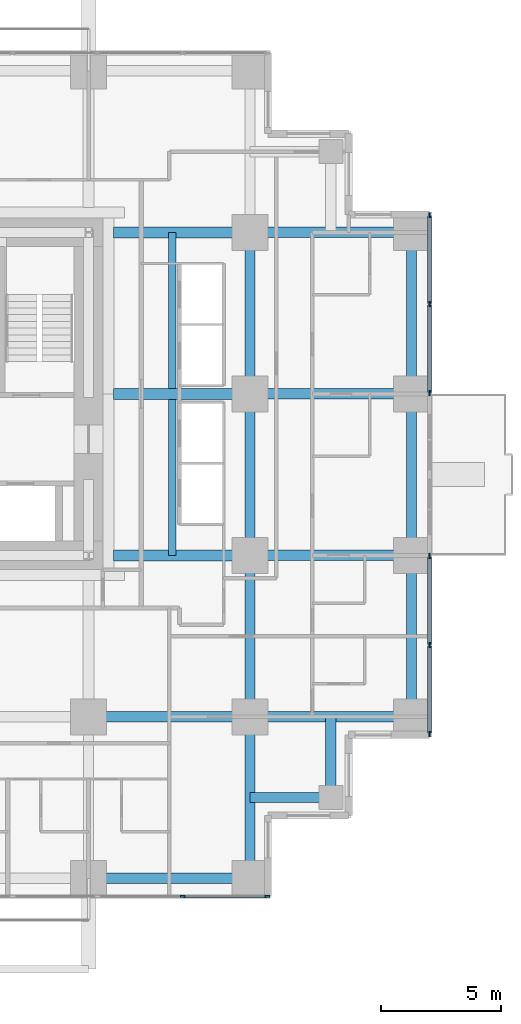
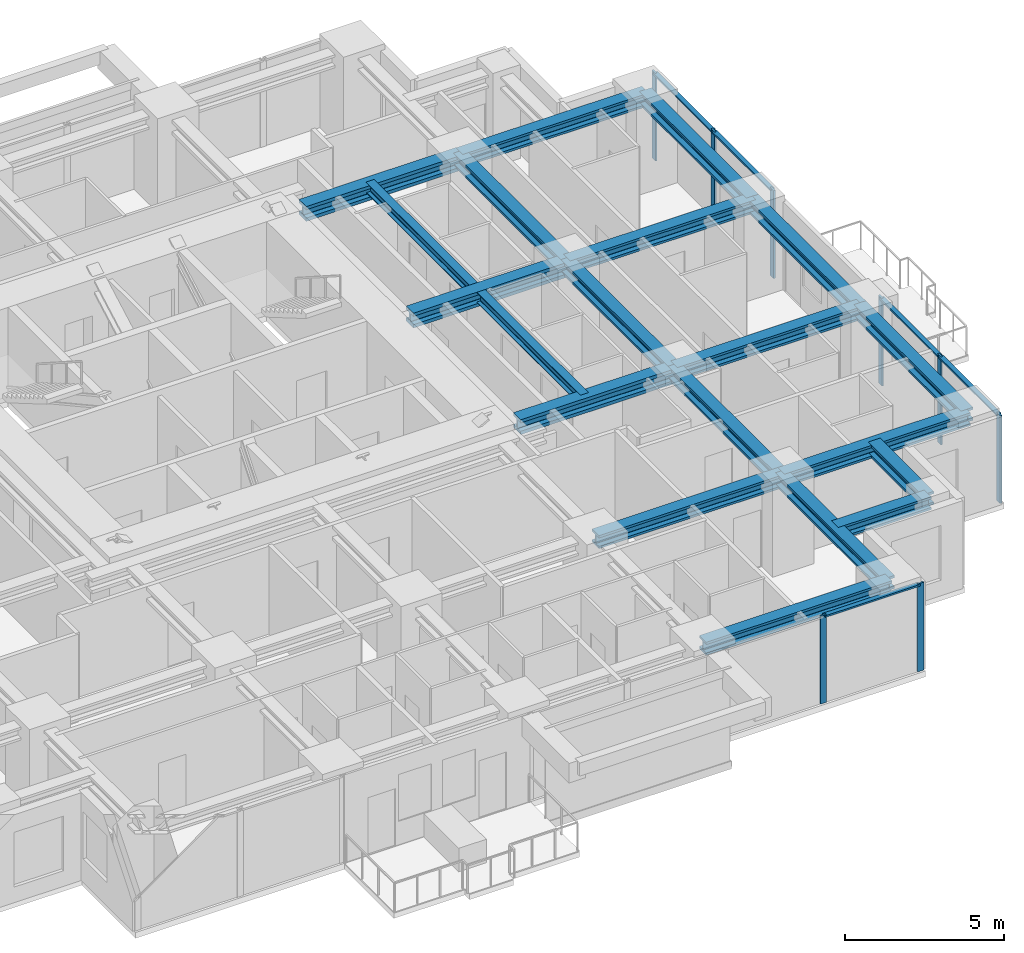
# One storey, part 4 of 13: 20 beams, 13 members, 3 elements without a shape of their own.
"""IFC4 building model written with IfcOpenShell, lengths in metres."""

from ifc_helpers import new_model, si_unit, direction, frame, origin, origin_2d, place, context, subcontext, project, spatial, rectangle, i_section, extrude, material, material_profile, profile_set, type_object, element, aggregate, save


model = new_model("IFC4")

# Units and contexts
model_context = context("Model", 3, precision=1e-05, world=origin(), true_north=direction((0.0, 1.0)))
body_context = subcontext(model_context, "Body", "Model", "MODEL_VIEW")
ifc_project = project(units=[si_unit("LENGTHUNIT", "METRE"), si_unit("AREAUNIT", "SQUARE_METRE"), si_unit("VOLUMEUNIT", "CUBIC_METRE"), si_unit("PLANEANGLEUNIT", "RADIAN"), si_unit("MASSUNIT", "GRAM", prefix="KILO")], contexts=[model_context])

# Site, building, storey
site_placement = place(None, origin())
site = spatial("IfcSite", under=ifc_project, at=site_placement, CompositionType="ELEMENT")
building_placement = place(site_placement, origin())
building = spatial("IfcBuilding", under=site, at=building_placement, Name="Nyansa Garden Tower", CompositionType="ELEMENT")
storey_placement = place(building_placement, frame((0.0, 0.0, 123.300048828125)))
storey = spatial("IfcBuildingStorey", under=building, at=storey_placement, Name="L33", CompositionType="ELEMENT", Elevation=123.300048828125)

# Curtain wall, members
ifc_material_1 = material(Name="Black anodised aluminium, dark tinted double glazing", Category="aluminium")
curtain_wall_type = type_object("IfcCurtainWallType", Name="Inner skin curtain wall ISW-B", PredefinedType="USERDEFINED", material=ifc_material_1)
curtain_wall_1_placement = place(storey_placement, origin())
curtain_wall_1 = element("IfcCurtainWall", 1, at=curtain_wall_1_placement, inside=storey, type_object=curtain_wall_type, Name="Inner skin curtain wall L33 E", ObjectType="UNITISED CURTAIN WALL", PredefinedType="USERDEFINED")
ifc_material_2 = material(Name="Black anodised aluminium", Category="aluminium")
ifc_material_profile_1 = material_profile(ifc_material_2, rectangle(XDim=0.06494140625, YDim=0.22509765625, at=origin_2d()), Name="Mullion 225x65")
ifc_profile_set_1 = profile_set([ifc_material_profile_1], Name="Black anodised aluminium")
member_type_1 = type_object("IfcMemberType", Name="Mullion ISW-B 225x65", PredefinedType="MULLION", material=ifc_profile_set_1)
member_1_placement = place(storey_placement, frame((41.25, 6.032470703125, 0.0), z_axis=(0.0, 0.0, 1.0), x_axis=(-1.0, 0.0, 0.0)))
member_1 = element("IfcMember", 2, at=member_1_placement, type_object=member_type_1, Name="ISW-B mullion 1", PredefinedType="MULLION", context=body_context, shape_type="SweptSolid", body=[
    extrude(rectangle(XDim=0.06494140625, YDim=0.22509765625, at=origin_2d()), origin(), (0.0, 0.0, 1.0), 3.375),
])
member_2_placement = place(storey_placement, frame((41.25, 9.75, 0.0), z_axis=(0.0, 0.0, 1.0), x_axis=(-1.0, 0.0, 0.0)))
member_2 = element("IfcMember", 3, at=member_2_placement, type_object=member_type_1, Name="ISW-B mullion 2", PredefinedType="MULLION", context=body_context, shape_type="SweptSolid", body=[
    extrude(rectangle(XDim=0.06494140625, YDim=0.22509765625, at=origin_2d()), origin(), (0.0, 0.0, 1.0), 3.375),
])
member_3_placement = place(storey_placement, frame((41.25, 13.467529296875, 0.0), z_axis=(0.0, 0.0, 1.0), x_axis=(-1.0, 0.0, 0.0)))
member_3 = element("IfcMember", 4, at=member_3_placement, type_object=member_type_1, Name="ISW-B mullion 3", PredefinedType="MULLION", context=body_context, shape_type="SweptSolid", body=[
    extrude(rectangle(XDim=0.06494140625, YDim=0.22509765625, at=origin_2d()), origin(), (0.0, 0.0, 1.0), 3.375),
])

curtain_wall_2_placement = place(storey_placement, origin())
curtain_wall_2 = element("IfcCurtainWall", 5, at=curtain_wall_2_placement, inside=storey, type_object=curtain_wall_type, Name="Inner skin curtain wall L33 E", ObjectType="UNITISED CURTAIN WALL", PredefinedType="USERDEFINED")
member_4_placement = place(storey_placement, frame((41.25, 20.282470703125, 0.0), z_axis=(0.0, 0.0, 1.0), x_axis=(-1.0, 0.0, 0.0)))
member_4 = element("IfcMember", 6, at=member_4_placement, type_object=member_type_1, Name="ISW-B mullion 1", PredefinedType="MULLION", context=body_context, shape_type="SweptSolid", body=[
    extrude(rectangle(XDim=0.06494140625, YDim=0.22509765625, at=origin_2d()), origin(), (0.0, 0.0, 1.0), 3.375),
])
member_5_placement = place(storey_placement, frame((41.25, 24.0, 0.0), z_axis=(0.0, 0.0, 1.0), x_axis=(-1.0, 0.0, 0.0)))
member_5 = element("IfcMember", 7, at=member_5_placement, type_object=member_type_1, Name="ISW-B mullion 2", PredefinedType="MULLION", context=body_context, shape_type="SweptSolid", body=[
    extrude(rectangle(XDim=0.06494140625, YDim=0.22509765625, at=origin_2d()), origin(), (0.0, 0.0, 1.0), 3.375),
])
member_6_placement = place(storey_placement, frame((41.25, 27.717529296875, 0.0), z_axis=(0.0, 0.0, 1.0), x_axis=(-1.0, 0.0, 0.0)))
member_6 = element("IfcMember", 8, at=member_6_placement, type_object=member_type_1, Name="ISW-B mullion 3", PredefinedType="MULLION", context=body_context, shape_type="SweptSolid", body=[
    extrude(rectangle(XDim=0.06494140625, YDim=0.22509765625, at=origin_2d()), origin(), (0.0, 0.0, 1.0), 3.375),
])

curtain_wall_3_placement = place(storey_placement, origin())
curtain_wall_3 = element("IfcCurtainWall", 9, at=curtain_wall_3_placement, inside=storey, type_object=curtain_wall_type, Name="Inner skin curtain wall L33 S", ObjectType="UNITISED CURTAIN WALL", PredefinedType="USERDEFINED")
member_7_placement = place(storey_placement, frame((30.9375, -0.75, 0.0), z_axis=(0.0, 0.0, 1.0), x_axis=(0.0, 1.0, 0.0)))
member_7 = element("IfcMember", 10, at=member_7_placement, type_object=member_type_1, Name="ISW-B mullion 4", PredefinedType="MULLION", context=body_context, shape_type="SweptSolid", body=[
    extrude(rectangle(XDim=0.06494140625, YDim=0.22509765625, at=origin_2d()), origin(), (0.0, 0.0, 1.0), 3.375),
])
member_8_placement = place(storey_placement, frame((34.467529296875, -0.75, 0.0), z_axis=(0.0, 0.0, 1.0), x_axis=(0.0, 1.0, 0.0)))
member_8 = element("IfcMember", 11, at=member_8_placement, type_object=member_type_1, Name="ISW-B mullion 5", PredefinedType="MULLION", context=body_context, shape_type="SweptSolid", body=[
    extrude(rectangle(XDim=0.06494140625, YDim=0.22509765625, at=origin_2d()), origin(), (0.0, 0.0, 1.0), 3.375),
])

# Beams
ifc_material_3 = material(Name="Steel S355", Category="steel")
ifc_material_profile_2 = material_profile(ifc_material_3, i_section(OverallWidth=0.431884765625, OverallDepth=0.498046875, WebThickness=0.0556640625, FlangeThickness=0.0888671875, FilletRadius=0.014892578125, at=origin_2d()), Name="HD 400x744")
ifc_profile_set_2 = profile_set([ifc_material_profile_2], Name="Steel S355")
beam_type_1 = type_object("IfcBeamType", Name="Steel beam SBB1-744 HD 400x744", PredefinedType="BEAM", material=ifc_profile_set_2)
for number, where, z_axis, x_axis, name in (
    (12, (27.0, 6.75, 3.1259765625), (1.0, 0.0, 0.0), (0.0, 1.0, 0.0), "Steel beam 6/E-7/E L34"),
    (13, (33.75, 0.0, 3.1259765625), (0.0, 1.0, 0.0), (-1.0, 0.0, 0.0), "Steel beam 7/D-7/E L34"),
    (14, (33.75, 6.75, 3.1259765625), (0.0, 1.0, 0.0), (-1.0, 0.0, 0.0), "Steel beam 7/E-7/F L34"),
    (15, (33.75, 6.75, 3.1259765625), (1.0, 0.0, 0.0), (0.0, 1.0, 0.0), "Steel beam 7/E-8/E L34"),
    (16, (33.75, 13.5, 3.1259765625), (0.0, 1.0, 0.0), (-1.0, 0.0, 0.0), "Steel beam 7/F-7/G L34"),
    (17, (33.75, 13.5, 3.1259765625), (1.0, 0.0, 0.0), (0.0, 1.0, 0.0), "Steel beam 7/F-8/F L34"),
    (18, (33.75, 20.25, 3.1259765625), (0.0, 1.0, 0.0), (-1.0, 0.0, 0.0), "Steel beam 7/G-7/H L34"),
    (19, (33.75, 20.25, 3.1259765625), (1.0, 0.0, 0.0), (0.0, 1.0, 0.0), "Steel beam 7/G-8/G L34"),
    (20, (33.75, 27.0, 3.1259765625), (1.0, 0.0, 0.0), (0.0, 1.0, 0.0), "Steel beam 7/H-8/H L34"),
):
    element("IfcBeam", number, at=place(storey_placement, frame(where, z_axis=z_axis, x_axis=x_axis)), inside=storey, type_object=beam_type_1, Name=name, PredefinedType="BEAM", context=body_context, shape_type="SweptSolid", body=[
        extrude(i_section(OverallWidth=0.431884765625, OverallDepth=0.498046875, WebThickness=0.0556640625, FlangeThickness=0.0888671875, FilletRadius=0.014892578125, at=origin_2d()), origin(), (0.0, 0.0, 1.0), 6.75),
    ])
ifc_material_4 = material(Name="Steel S355", Category="steel")
ifc_material_profile_3 = material_profile(ifc_material_4, i_section(OverallWidth=0.4541015625, OverallDepth=0.569091796875, WebThickness=0.077880859375, FlangeThickness=0.125, FilletRadius=0.014892578125, at=origin_2d()), Name="HD 400x1086")
ifc_profile_set_3 = profile_set([ifc_material_profile_3], Name="Steel S355")
beam_type_2 = type_object("IfcBeamType", Name="Steel beam SCL-1086 HD 400x1086", PredefinedType="BEAM", material=ifc_profile_set_3)
for number, where, z_axis, x_axis, name in (
    (21, (28.050048828125, 13.5, 3.09033203125), (1.0, 0.0, 0.0), (0.0, 1.0, 0.0), "Steel beam 28.050/F-7/F L34"),
    (22, (28.050048828125, 20.25, 3.09033203125), (1.0, 0.0, 0.0), (0.0, 1.0, 0.0), "Steel beam 28.050/G-7/G L34"),
    (23, (28.050048828125, 27.0, 3.09033203125), (1.0, 0.0, 0.0), (0.0, 1.0, 0.0), "Steel beam 28.050/H-7/H L34"),
):
    element("IfcBeam", number, at=place(storey_placement, frame(where, z_axis=z_axis, x_axis=x_axis)), inside=storey, type_object=beam_type_2, Name=name, PredefinedType="BEAM", context=body_context, shape_type="SweptSolid", body=[
        extrude(i_section(OverallWidth=0.4541015625, OverallDepth=0.569091796875, WebThickness=0.077880859375, FlangeThickness=0.125, FilletRadius=0.014892578125, at=origin_2d()), origin(), (0.0, 0.0, 1.0), 5.699951171875),
    ])
ifc_material_5 = material(Name="Steel S355", Category="steel")
ifc_material_profile_4 = material_profile(ifc_material_5, i_section(OverallWidth=0.431884765625, OverallDepth=0.498046875, WebThickness=0.0556640625, FlangeThickness=0.0888671875, FilletRadius=0.014892578125, at=origin_2d()), Name="HD 400x744")
ifc_profile_set_4 = profile_set([ifc_material_profile_4], Name="Steel S355")
beam_type_3 = type_object("IfcBeamType", Name="Steel beam SEBB-744 HD 400x744", PredefinedType="BEAM", material=ifc_profile_set_4)
for number, where, z_axis, x_axis, name in (
    (24, (27.0, 0.0, 3.1259765625), (1.0, 0.0, 0.0), (0.0, 1.0, 0.0), "Steel edge beam 6/D-7/D L34"),
    (25, (40.5, 6.75, 3.1259765625), (0.0, 1.0, 0.0), (-1.0, 0.0, 0.0), "Steel edge beam 8/E-8/F L34"),
    (26, (40.5, 13.5, 3.1259765625), (0.0, 1.0, 0.0), (-1.0, 0.0, 0.0), "Steel edge beam 8/F-8/G L34"),
    (27, (40.5, 20.25, 3.1259765625), (0.0, 1.0, 0.0), (-1.0, 0.0, 0.0), "Steel edge beam 8/G-8/H L34"),
):
    element("IfcBeam", number, at=place(storey_placement, frame(where, z_axis=z_axis, x_axis=x_axis)), inside=storey, type_object=beam_type_3, Name=name, PredefinedType="BEAM", context=body_context, shape_type="SweptSolid", body=[
        extrude(i_section(OverallWidth=0.431884765625, OverallDepth=0.498046875, WebThickness=0.0556640625, FlangeThickness=0.0888671875, FilletRadius=0.014892578125, at=origin_2d()), origin(), (0.0, 0.0, 1.0), 6.75),
    ])
ifc_material_6 = material(Name="Steel S355", Category="steel")
ifc_material_profile_5 = material_profile(ifc_material_6, i_section(OverallWidth=0.431884765625, OverallDepth=0.498046875, WebThickness=0.0556640625, FlangeThickness=0.0888671875, FilletRadius=0.014892578125, at=origin_2d()), Name="HD 400x744")
ifc_profile_set_5 = profile_set([ifc_material_profile_5], Name="Steel S355")
beam_type_4 = type_object("IfcBeamType", Name="Steel beam SSB1-744 HD 400x744", PredefinedType="BEAM", material=ifc_profile_set_5)
for number, where, z_axis, x_axis, name in (
    (28, (37.125, 3.375, 3.1259765625), (0.0, 1.0, 0.0), (-1.0, 0.0, 0.0), "Steel step beam 37.125/3.375 L34"),
    (29, (37.125, 3.375, 3.1259765625), (-1.0, 0.0, 0.0), (0.0, -1.0, 0.0), "Steel step beam 37.125/3.375 L34"),
):
    element("IfcBeam", number, at=place(storey_placement, frame(where, z_axis=z_axis, x_axis=x_axis)), inside=storey, type_object=beam_type_4, Name=name, PredefinedType="BEAM", context=body_context, shape_type="SweptSolid", body=[
        extrude(i_section(OverallWidth=0.431884765625, OverallDepth=0.498046875, WebThickness=0.0556640625, FlangeThickness=0.0888671875, FilletRadius=0.014892578125, at=origin_2d()), origin(), (0.0, 0.0, 1.0), 3.375),
    ])

# Member
ifc_material_7 = material(Name="Black anodised aluminium", Category="aluminium")
ifc_material_profile_6 = material_profile(ifc_material_7, rectangle(XDim=0.1650390625, YDim=0.06494140625, at=origin_2d()), Name="Transom 165x65")
ifc_profile_set_6 = profile_set([ifc_material_profile_6], Name="Black anodised aluminium")
member_type_2 = type_object("IfcMemberType", Name="Transom ISW-B 165x65", PredefinedType="USERDEFINED", material=ifc_profile_set_6)
member_9_placement = place(storey_placement, frame((41.25, 6.06494140625, 3.342529296875), z_axis=(0.0, 1.0, 0.0), x_axis=(-1.0, 0.0, 0.0)))
member_9 = element("IfcMember", 30, at=member_9_placement, type_object=member_type_2, Name="ISW-B transom 1", ObjectType="TRANSOM", PredefinedType="USERDEFINED", context=body_context, shape_type="SweptSolid", body=[
    extrude(rectangle(XDim=0.1650390625, YDim=0.06494140625, at=origin_2d()), origin(), (0.0, 0.0, 1.0), 3.652587890625),
])

member_10_placement = place(storey_placement, frame((41.25, 9.782470703125, 3.342529296875), z_axis=(0.0, 1.0, 0.0), x_axis=(-1.0, 0.0, 0.0)))
member_10 = element("IfcMember", 31, at=member_10_placement, type_object=member_type_2, Name="ISW-B transom 2", ObjectType="TRANSOM", PredefinedType="USERDEFINED", context=body_context, shape_type="SweptSolid", body=[
    extrude(rectangle(XDim=0.1650390625, YDim=0.06494140625, at=origin_2d()), origin(), (0.0, 0.0, 1.0), 3.652587890625),
])

aggregate(curtain_wall_1, [member_1, member_2, member_3, member_9, member_10])

member_11_placement = place(storey_placement, frame((41.25, 20.31494140625, 3.342529296875), z_axis=(0.0, 1.0, 0.0), x_axis=(-1.0, 0.0, 0.0)))
member_11 = element("IfcMember", 32, at=member_11_placement, type_object=member_type_2, Name="ISW-B transom 1", ObjectType="TRANSOM", PredefinedType="USERDEFINED", context=body_context, shape_type="SweptSolid", body=[
    extrude(rectangle(XDim=0.1650390625, YDim=0.06494140625, at=origin_2d()), origin(), (0.0, 0.0, 1.0), 3.652587890625),
])

member_12_placement = place(storey_placement, frame((41.25, 24.032470703125, 3.342529296875), z_axis=(0.0, 1.0, 0.0), x_axis=(-1.0, 0.0, 0.0)))
member_12 = element("IfcMember", 33, at=member_12_placement, type_object=member_type_2, Name="ISW-B transom 2", ObjectType="TRANSOM", PredefinedType="USERDEFINED", context=body_context, shape_type="SweptSolid", body=[
    extrude(rectangle(XDim=0.1650390625, YDim=0.06494140625, at=origin_2d()), origin(), (0.0, 0.0, 1.0), 3.652587890625),
])

aggregate(curtain_wall_2, [member_4, member_5, member_6, member_11, member_12])

member_13_placement = place(storey_placement, frame((30.969970703125, -0.75, 3.342529296875), z_axis=(1.0, 0.0, 0.0), x_axis=(0.0, 1.0, 0.0)))
member_13 = element("IfcMember", 34, at=member_13_placement, type_object=member_type_2, Name="ISW-B transom 4", ObjectType="TRANSOM", PredefinedType="USERDEFINED", context=body_context, shape_type="SweptSolid", body=[
    extrude(rectangle(XDim=0.1650390625, YDim=0.06494140625, at=origin_2d()), origin(), (0.0, 0.0, 1.0), 3.465087890625),
])

aggregate(curtain_wall_3, [member_7, member_8, member_13])

# Beams
ifc_material_8 = material(Name="Steel S355", Category="steel")
ifc_material_profile_7 = material_profile(ifc_material_8, i_section(OverallWidth=0.300048828125, OverallDepth=0.39990234375, WebThickness=0.013427734375, FlangeThickness=0.02392578125, FilletRadius=0.027099609375, at=origin_2d()), Name="HE 400 B")
ifc_profile_set_7 = profile_set([ifc_material_profile_7], Name="Steel S355")
beam_type_5 = type_object("IfcBeamType", Name="Trimmer beam TR1 HE 400 B", PredefinedType="BEAM", material=ifc_profile_set_7)
for number, where, z_axis, x_axis, name in (
    (35, (30.5, 13.5, 3.175048828125), (0.0, 1.0, 0.0), (-1.0, 0.0, 0.0), "Trimmer beam 1 L34"),
    (36, (30.5, 20.47705078125, 3.175048828125), (0.0, 1.0, 0.0), (-1.0, 0.0, 0.0), "Trimmer beam 2 L34"),
):
    element("IfcBeam", number, at=place(storey_placement, frame(where, z_axis=z_axis, x_axis=x_axis)), inside=storey, type_object=beam_type_5, Name=name, PredefinedType="BEAM", context=body_context, shape_type="SweptSolid", body=[
        extrude(i_section(OverallWidth=0.300048828125, OverallDepth=0.39990234375, WebThickness=0.013427734375, FlangeThickness=0.02392578125, FilletRadius=0.027099609375, at=origin_2d()), origin(), (0.0, 0.0, 1.0), 6.52294921875),
    ])

save(model, "model.ifc")
